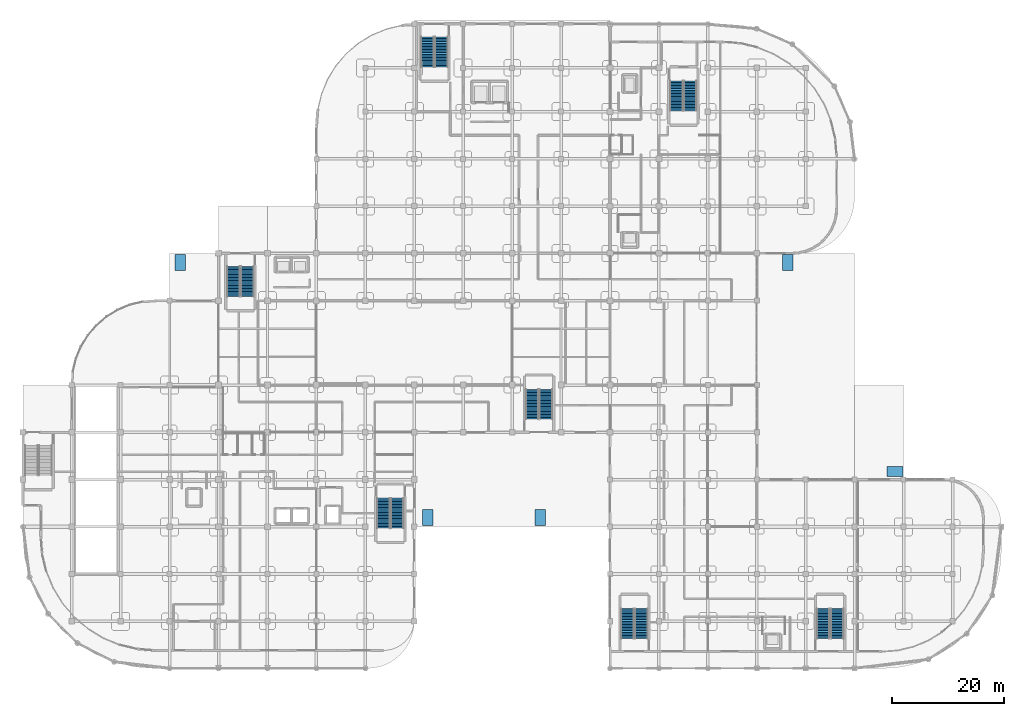
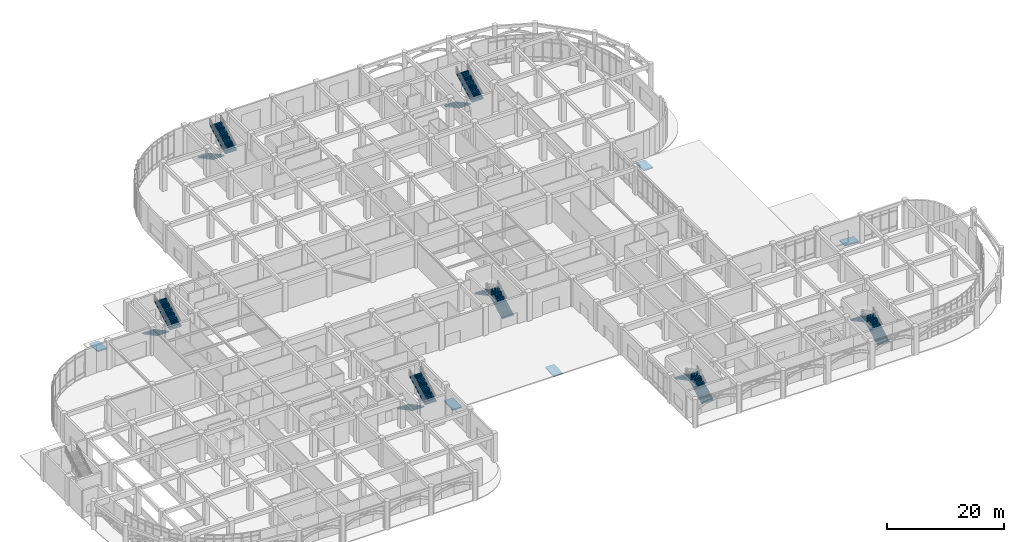
# One storey, part 72 of 82: 14 stair flights, 5 ramp flights, 12 elements without a shape of their own.
"""IFC4 building model written with IfcOpenShell, lengths in metres."""

import ifcopenshell
import ifcopenshell.guid

model = None  # the IFC model being written
_history = None  # IfcOwnerHistory: only IFC2X3 demands one
_inside = {}  # id of a spatial element -> (the spatial element, [elements in it])
_under = {}  # id of a project, library or spatial element -> (it, [spatial elements below it])
_declared = {}  # id of a project -> (the project, [libraries it declares])
_typed = {}  # id of a type object -> (the type object, [elements of that type])
_made_of = {}  # id of a material, layer set ... -> (it, [elements and type objects made of it])


def new_model(schema):
    """Start an empty IFC model of exactly this schema.

    Asked for "IFC4X3", IfcOpenShell would pick the latest addendum, in which some entities
    have other attributes; the version numbers below select the first issue.
    IFC2X3 requires an IfcOwnerHistory on every rooted entity: one is made here for all.
    """
    global model, _history
    if schema == "IFC4X3":
        model = ifcopenshell.file(schema_version=(4, 3, 0, 0))
    else:
        model = ifcopenshell.file(schema=schema)
    _inside.clear()
    _under.clear()
    _declared.clear()
    _typed.clear()
    _made_of.clear()
    _history = None
    if model.schema == "IFC2X3":
        org = make("IfcOrganization", Name="unknown")
        user = make(
            "IfcPersonAndOrganization",
            ThePerson=make("IfcPerson", FamilyName="unknown"),
            TheOrganization=org,
        )
        app = make(
            "IfcApplication",
            ApplicationDeveloper=org,
            Version="unknown",
            ApplicationFullName="unknown",
            ApplicationIdentifier="unknown",
        )
        _history = make(
            "IfcOwnerHistory",
            OwningUser=user,
            OwningApplication=app,
            ChangeAction="ADDED",
            CreationDate=0,
        )
    return model


def make(cls, **values):
    """One entity of the class cls with the attributes given. An attribute that is None is left unset."""
    return model.create_entity(
        cls, **{name: value for name, value in values.items() if value is not None}
    )


def rooted(cls, **values):
    """An entity with a GlobalId (a new one), such as an element, a storey or a relation."""
    return make(cls, GlobalId=ifcopenshell.guid.new(), OwnerHistory=_history, **values)


def si_unit(unit_type, name, prefix=None):
    """IfcSIUnit, for example si_unit("LENGTHUNIT", "METRE", prefix="MILLI")."""
    return make("IfcSIUnit", UnitType=unit_type, Prefix=prefix, Name=name)


def derived_unit(unit_type, elements):
    """IfcDerivedUnit: a product of units, each with its exponent."""
    return make(
        "IfcDerivedUnit",
        Elements=[
            make("IfcDerivedUnitElement", Unit=unit, Exponent=power)
            for unit, power in elements
        ],
        UnitType=unit_type,
    )


def assignment(units):
    """IfcUnitAssignment: the units of a project."""
    return None if units is None else make("IfcUnitAssignment", Units=units)


def point(xyz):
    """IfcCartesianPoint."""
    return None if xyz is None else make("IfcCartesianPoint", Coordinates=xyz)


def direction(xyz):
    """IfcDirection."""
    return None if xyz is None else make("IfcDirection", DirectionRatios=xyz)


def frame(location, z_axis=None, x_axis=None):
    """IfcAxis2Placement3D, a coordinate frame: its origin and axes. An axis left out is left unset."""
    return make(
        "IfcAxis2Placement3D",
        Location=point(location),
        Axis=direction(z_axis),
        RefDirection=direction(x_axis),
    )


def origin():
    """The frame at (0, 0, 0) with its axes left unset."""
    return frame((0.0, 0.0, 0.0))


def place(relative_to, where):
    """IfcLocalPlacement: puts the frame where relative to a parent placement (None: the world)."""
    return make(
        "IfcLocalPlacement", PlacementRelTo=relative_to, RelativePlacement=where
    )


def context(
    kind, dimensions, precision=None, world=None, true_north=None, identifier=None
):
    """IfcGeometricRepresentationContext, for example the 3D "Model" context."""
    return make(
        "IfcGeometricRepresentationContext",
        ContextIdentifier=identifier,
        ContextType=kind,
        CoordinateSpaceDimension=dimensions,
        Precision=precision,
        WorldCoordinateSystem=world,
        TrueNorth=true_north,
    )


def subcontext(parent, identifier, kind, view, scale=None):
    """IfcGeometricRepresentationSubContext, for example "Body" below "Model"."""
    return make(
        "IfcGeometricRepresentationSubContext",
        ContextIdentifier=identifier,
        ContextType=kind,
        ParentContext=parent,
        TargetScale=scale,
        TargetView=view,
    )


def project(units=None, contexts=None):
    """IfcProject with its units and contexts."""
    return rooted(
        "IfcProject",
        Name="project",
        RepresentationContexts=contexts,
        UnitsInContext=assignment(units),
    )


def spatial(cls, under=None, at=None, **own):
    """A site, building, storey or space (cls), placed at a placement, below another one or the project."""
    s = rooted(cls, ObjectPlacement=at, **own)
    if under is not None:
        _under.setdefault(under.id(), (under, []))[1].append(s)
    return s


def polyline(points):
    """IfcPolyline through the points."""
    return make("IfcPolyline", Points=[point(p) for p in points])


def outline(outer, holes=None, kind="AREA"):
    """IfcArbitraryClosedProfileDef: a profile drawn as a closed curve; with holes, ...WithVoids."""
    if holes is None:
        return make("IfcArbitraryClosedProfileDef", ProfileType=kind, OuterCurve=outer)
    return make(
        "IfcArbitraryProfileDefWithVoids",
        ProfileType=kind,
        OuterCurve=outer,
        InnerCurves=holes,
    )


def extrude(swept, where, along, depth):
    """IfcExtrudedAreaSolid: the profile swept, set in the frame where, extruded along a direction by depth."""
    return make(
        "IfcExtrudedAreaSolid",
        SweptArea=swept,
        Position=where,
        ExtrudedDirection=direction(along),
        Depth=depth,
    )


def shape(context_of_items, identifier, shape_type, items):
    """IfcShapeRepresentation: the items that make up one representation, for example the "Body"."""
    return make(
        "IfcShapeRepresentation",
        ContextOfItems=context_of_items,
        RepresentationIdentifier=identifier,
        RepresentationType=shape_type,
        Items=items,
    )


def material(Name=None, Category=None):
    """IfcMaterial."""
    return make("IfcMaterial", Name=Name, Category=Category)


def layer(
    of_material, thickness, ventilated=None, Name=None, Category=None, Priority=None
):
    """IfcMaterialLayer: one layer of a wall or slab, of a material (None: an air gap)."""
    return make(
        "IfcMaterialLayer",
        Material=of_material,
        LayerThickness=thickness,
        IsVentilated=ventilated,
        Name=Name,
        Category=Category,
        Priority=Priority,
    )


def layer_set(layers, Name=None):
    """IfcMaterialLayerSet."""
    return make("IfcMaterialLayerSet", MaterialLayers=layers, LayerSetName=Name)


def made_of(thing, what):
    """Note that an element or type object is made of a material, layer set ...; save() writes the relation."""
    if what is not None:
        _made_of.setdefault(what.id(), (what, []))[1].append(thing)
    return thing


def type_object(cls, material=None, **own):
    """A type object (cls), such as IfcWallType, which elements share."""
    return made_of(rooted(cls, **own), material)


def element(
    cls,
    number,
    at=None,
    inside=None,
    cuts=None,
    type_object=None,
    material=None,
    context=None,
    identifier="Body",
    shape_type=None,
    held_by="IfcProductDefinitionShape",
    body=None,
    shapes=None,
    **own,
):
    """One element of the class cls, such as IfcWall. Its Tag is "e" and its number.

    at: its placement. inside: the storey or other place that contains it. cuts: it is an
    opening in that element (IfcRelVoidsElement). A single representation is given by context,
    identifier, shape_type and body (its items); several are given by shapes. held_by: the class
    of the entity that holds the representations. save() writes the other relations.
    """
    e = rooted(cls, Tag="e%d" % number, ObjectPlacement=at, **own)
    if body is not None:
        shapes = [shape(context, identifier, shape_type, body)]
    if shapes is not None:
        e.Representation = make(held_by, Representations=shapes)
    if inside is not None:
        _inside.setdefault(inside.id(), (inside, []))[1].append(e)
    if cuts is not None:
        rooted(
            "IfcRelVoidsElement", RelatingBuildingElement=cuts, RelatedOpeningElement=e
        )
    if type_object is not None:
        _typed.setdefault(type_object.id(), (type_object, []))[1].append(e)
    return made_of(e, material)


def aggregate(whole, parts):
    """IfcRelAggregates: a whole, such as a stair, and the parts it consists of."""
    return rooted("IfcRelAggregates", RelatingObject=whole, RelatedObjects=parts)


def save(model, path):
    """Write the relations noted so far, then the file.

    IfcRelAggregates (storeys below a building ...), IfcRelContainedInSpatialStructure (elements
    in a storey), IfcRelDefinesByType, IfcRelAssociatesMaterial and IfcRelDeclares: one each for
    every whole, place, type object, material and project.
    """
    for whole, parts in _under.values():
        aggregate(whole, parts)
    for where, things in _inside.values():
        rooted(
            "IfcRelContainedInSpatialStructure",
            RelatedElements=things,
            RelatingStructure=where,
        )
    for kind, things in _typed.values():
        rooted("IfcRelDefinesByType", RelatedObjects=things, RelatingType=kind)
    for what, things in _made_of.values():
        rooted("IfcRelAssociatesMaterial", RelatedObjects=things, RelatingMaterial=what)
    for by, libraries in _declared.values():
        rooted("IfcRelDeclares", RelatingContext=by, RelatedDefinitions=libraries)
    model.write(path)


model = new_model("IFC4")

# Units and contexts
model_context = context("Model", 3, precision=1e-05, world=origin(), true_north=direction((0.0, 1.0)))
body_context = subcontext(model_context, "Body", "Model", "MODEL_VIEW")
ifc_project = project(units=[si_unit("LENGTHUNIT", "METRE"), si_unit("AREAUNIT", "SQUARE_METRE"), si_unit("VOLUMEUNIT", "CUBIC_METRE"), si_unit("PLANEANGLEUNIT", "RADIAN"), si_unit("MASSUNIT", "GRAM", prefix="KILO"), derived_unit("THERMALTRANSMITTANCEUNIT", [(si_unit("MASSUNIT", "GRAM", prefix="KILO"), 1), (si_unit("TIMEUNIT", "SECOND"), -3), (si_unit("THERMODYNAMICTEMPERATUREUNIT", "KELVIN"), -1)])], contexts=[model_context])

# Site, building, storey
site_placement = place(None, origin())
site = spatial("IfcSite", under=ifc_project, at=site_placement, CompositionType="ELEMENT")
building_placement = place(site_placement, origin())
building = spatial("IfcBuilding", under=site, at=building_placement, Name="Qinzheling Arcade Emporium", CompositionType="ELEMENT")
storey_placement = place(building_placement, origin())
storey = spatial("IfcBuildingStorey", under=building, at=storey_placement, Name="L01", CompositionType="ELEMENT", Elevation=0.0)

# Stair, stair flights
ifc_material = material(Name="Concrete C40", Category="concrete")
stair_type = type_object("IfcStairType", Name="Cast-in-Situ Dog-Leg Escape Stair H6000", PredefinedType="HALF_TURN_STAIR", material=ifc_material)
stair_1_placement = place(storey_placement, origin())
stair_1 = element("IfcStair", 1, at=stair_1_placement, inside=storey, type_object=stair_type, Name="L01 ST01", PredefinedType="HALF_TURN_STAIR")
stair_flight_type = type_object("IfcStairFlightType", Name="Cast-in-Situ Straight Stair Flight 150x280 H6000", PredefinedType="STRAIGHT", material=ifc_material)
stair_flight_1_placement = place(storey_placement, frame((64.110107421875, 30.280029296875, 0.0), z_axis=(0.0, 0.0, 1.0), x_axis=(0.0, -1.0, 0.0)))
stair_flight_1 = element("IfcStairFlight", 2, at=stair_flight_1_placement, type_object=stair_flight_type, Name="ST01 flight 1", NumberOfRisers=20, NumberOfTreads=19, PredefinedType="STRAIGHT", RiserHeight=0.15, TreadLength=0.28, context=body_context, shape_type="SweptSolid", body=[
    extrude(outline(polyline([(0.0, 0.0), (0.0, 0.14990234375), (0.280029296875, 0.14990234375), (0.280029296875, 0.300048828125), (0.56005859375, 0.300048828125), (0.56005859375, 0.449951171875), (0.840087890625, 0.449951171875), (0.840087890625, 0.60009765625), (1.1201171875, 0.60009765625), (1.1201171875, 0.75), (1.39990234375, 0.75), (1.39990234375, 0.89990234375), (1.679931640625, 0.89990234375), (1.679931640625, 1.050048828125), (1.9599609375, 1.050048828125), (1.9599609375, 1.199951171875), (2.239990234375, 1.199951171875), (2.239990234375, 1.35009765625), (2.52001953125, 1.35009765625), (2.52001953125, 1.5), (2.800048828125, 1.5), (2.800048828125, 1.64990234375), (3.080078125, 1.64990234375), (3.080078125, 1.800048828125), (3.360107421875, 1.800048828125), (3.360107421875, 1.949951171875), (3.639892578125, 1.949951171875), (3.639892578125, 2.10009765625), (3.919921875, 2.10009765625), (3.919921875, 2.25), (4.199951171875, 2.25), (4.199951171875, 2.39990234375), (4.47998046875, 2.39990234375), (4.47998046875, 2.550048828125), (4.760009765625, 2.550048828125), (4.760009765625, 2.699951171875), (5.0400390625, 2.699951171875), (5.0400390625, 2.85009765625), (5.320068359375, 2.85009765625), (5.320068359375, 3.0), (5.320068359375, 2.668701171875), (0.338623046875, 0.0), (0.0, 0.0)])), frame((0.0, 1.16015625, 0.0), z_axis=(0.0, -1.0, 0.0), x_axis=(1.0, 0.0, 0.0)), (0.0, 0.0, 1.0), 2.320068359375),
])
stair_flight_2_placement = place(storey_placement, frame((66.580078125, 24.9599609375, 3.0), z_axis=(0.0, 0.0, 1.0), x_axis=(0.0, 1.0, 0.0)))
stair_flight_2 = element("IfcStairFlight", 3, at=stair_flight_2_placement, type_object=stair_flight_type, Name="ST01 flight 2", NumberOfRisers=20, NumberOfTreads=19, PredefinedType="STRAIGHT", RiserHeight=0.15, TreadLength=0.28, context=body_context, shape_type="SweptSolid", body=[
    extrude(outline(polyline([(0.0, 0.0), (0.0, 0.14990234375), (0.280029296875, 0.14990234375), (0.280029296875, 0.300048828125), (0.56005859375, 0.300048828125), (0.56005859375, 0.449951171875), (0.840087890625, 0.449951171875), (0.840087890625, 0.60009765625), (1.1201171875, 0.60009765625), (1.1201171875, 0.75), (1.39990234375, 0.75), (1.39990234375, 0.89990234375), (1.679931640625, 0.89990234375), (1.679931640625, 1.050048828125), (1.9599609375, 1.050048828125), (1.9599609375, 1.199951171875), (2.239990234375, 1.199951171875), (2.239990234375, 1.35009765625), (2.52001953125, 1.35009765625), (2.52001953125, 1.5), (2.800048828125, 1.5), (2.800048828125, 1.64990234375), (3.080078125, 1.64990234375), (3.080078125, 1.800048828125), (3.360107421875, 1.800048828125), (3.360107421875, 1.949951171875), (3.639892578125, 1.949951171875), (3.639892578125, 2.10009765625), (3.919921875, 2.10009765625), (3.919921875, 2.25), (4.199951171875, 2.25), (4.199951171875, 2.39990234375), (4.47998046875, 2.39990234375), (4.47998046875, 2.550048828125), (4.760009765625, 2.550048828125), (4.760009765625, 2.699951171875), (5.0400390625, 2.699951171875), (5.0400390625, 2.85009765625), (5.320068359375, 2.85009765625), (5.320068359375, 3.0), (5.320068359375, 2.668701171875), (0.338623046875, 0.0), (0.0, 0.0)])), frame((0.0, 1.16015625, 0.0), z_axis=(0.0, -1.0, 0.0), x_axis=(1.0, 0.0, 0.0)), (0.0, 0.0, 1.0), 2.320068359375),
])
aggregate(stair_1, [stair_flight_1, stair_flight_2])

stair_2_placement = place(storey_placement, origin())
stair_2 = element("IfcStair", 4, at=stair_2_placement, inside=storey, type_object=stair_type, Name="L01 ST03", PredefinedType="HALF_TURN_STAIR")
stair_flight_3_placement = place(storey_placement, frame((37.4599609375, 71.47998046875, 0.0), z_axis=(0.0, 0.0, 1.0), x_axis=(0.0, -1.0, 0.0)))
stair_flight_3 = element("IfcStairFlight", 5, at=stair_flight_3_placement, type_object=stair_flight_type, Name="ST03 flight 1", NumberOfRisers=20, NumberOfTreads=19, PredefinedType="STRAIGHT", RiserHeight=0.15, TreadLength=0.28, context=body_context, shape_type="SweptSolid", body=[
    extrude(outline(polyline([(0.0, 0.0), (0.0, 0.14990234375), (0.280029296875, 0.14990234375), (0.280029296875, 0.300048828125), (0.56005859375, 0.300048828125), (0.56005859375, 0.449951171875), (0.840087890625, 0.449951171875), (0.840087890625, 0.60009765625), (1.1201171875, 0.60009765625), (1.1201171875, 0.75), (1.39990234375, 0.75), (1.39990234375, 0.89990234375), (1.679931640625, 0.89990234375), (1.679931640625, 1.050048828125), (1.9599609375, 1.050048828125), (1.9599609375, 1.199951171875), (2.239990234375, 1.199951171875), (2.239990234375, 1.35009765625), (2.52001953125, 1.35009765625), (2.52001953125, 1.5), (2.800048828125, 1.5), (2.800048828125, 1.64990234375), (3.080078125, 1.64990234375), (3.080078125, 1.800048828125), (3.360107421875, 1.800048828125), (3.360107421875, 1.949951171875), (3.639892578125, 1.949951171875), (3.639892578125, 2.10009765625), (3.919921875, 2.10009765625), (3.919921875, 2.25), (4.199951171875, 2.25), (4.199951171875, 2.39990234375), (4.47998046875, 2.39990234375), (4.47998046875, 2.550048828125), (4.760009765625, 2.550048828125), (4.760009765625, 2.699951171875), (5.0400390625, 2.699951171875), (5.0400390625, 2.85009765625), (5.320068359375, 2.85009765625), (5.320068359375, 3.0), (5.320068359375, 2.668701171875), (0.338623046875, 0.0), (0.0, 0.0)])), frame((0.0, 1.16015625, 0.0), z_axis=(0.0, -1.0, 0.0), x_axis=(1.0, 0.0, 0.0)), (0.0, 0.0, 1.0), 2.320068359375),
])
stair_flight_4_placement = place(storey_placement, frame((39.929931640625, 66.159912109375, 3.0), z_axis=(0.0, 0.0, 1.0), x_axis=(0.0, 1.0, 0.0)))
stair_flight_4 = element("IfcStairFlight", 6, at=stair_flight_4_placement, type_object=stair_flight_type, Name="ST03 flight 2", NumberOfRisers=20, NumberOfTreads=19, PredefinedType="STRAIGHT", RiserHeight=0.15, TreadLength=0.28, context=body_context, shape_type="SweptSolid", body=[
    extrude(outline(polyline([(0.0, 0.0), (0.0, 0.14990234375), (0.280029296875, 0.14990234375), (0.280029296875, 0.300048828125), (0.56005859375, 0.300048828125), (0.56005859375, 0.449951171875), (0.840087890625, 0.449951171875), (0.840087890625, 0.60009765625), (1.1201171875, 0.60009765625), (1.1201171875, 0.75), (1.39990234375, 0.75), (1.39990234375, 0.89990234375), (1.679931640625, 0.89990234375), (1.679931640625, 1.050048828125), (1.9599609375, 1.050048828125), (1.9599609375, 1.199951171875), (2.239990234375, 1.199951171875), (2.239990234375, 1.35009765625), (2.52001953125, 1.35009765625), (2.52001953125, 1.5), (2.800048828125, 1.5), (2.800048828125, 1.64990234375), (3.080078125, 1.64990234375), (3.080078125, 1.800048828125), (3.360107421875, 1.800048828125), (3.360107421875, 1.949951171875), (3.639892578125, 1.949951171875), (3.639892578125, 2.10009765625), (3.919921875, 2.10009765625), (3.919921875, 2.25), (4.199951171875, 2.25), (4.199951171875, 2.39990234375), (4.47998046875, 2.39990234375), (4.47998046875, 2.550048828125), (4.760009765625, 2.550048828125), (4.760009765625, 2.699951171875), (5.0400390625, 2.699951171875), (5.0400390625, 2.85009765625), (5.320068359375, 2.85009765625), (5.320068359375, 3.0), (5.320068359375, 2.668701171875), (0.338623046875, 0.0), (0.0, 0.0)])), frame((0.0, 1.16015625, 0.0), z_axis=(0.0, -1.0, 0.0), x_axis=(1.0, 0.0, 0.0)), (0.0, 0.0, 1.0), 2.320068359375),
])
aggregate(stair_2, [stair_flight_3, stair_flight_4])

stair_3_placement = place(storey_placement, origin())
stair_3 = element("IfcStair", 7, at=stair_3_placement, inside=storey, type_object=stair_type, Name="L01 ST04", PredefinedType="HALF_TURN_STAIR")
stair_flight_5_placement = place(storey_placement, frame((93.030029296875, 44.320068359375, 0.0), z_axis=(0.0, 0.0, 1.0), x_axis=(0.0, 1.0, 0.0)))
stair_flight_5 = element("IfcStairFlight", 8, at=stair_flight_5_placement, type_object=stair_flight_type, Name="ST04 flight 1", NumberOfRisers=20, NumberOfTreads=19, PredefinedType="STRAIGHT", RiserHeight=0.15, TreadLength=0.28, context=body_context, shape_type="SweptSolid", body=[
    extrude(outline(polyline([(0.0, 0.0), (0.0, 0.14990234375), (0.280029296875, 0.14990234375), (0.280029296875, 0.300048828125), (0.56005859375, 0.300048828125), (0.56005859375, 0.449951171875), (0.840087890625, 0.449951171875), (0.840087890625, 0.60009765625), (1.1201171875, 0.60009765625), (1.1201171875, 0.75), (1.39990234375, 0.75), (1.39990234375, 0.89990234375), (1.679931640625, 0.89990234375), (1.679931640625, 1.050048828125), (1.9599609375, 1.050048828125), (1.9599609375, 1.199951171875), (2.239990234375, 1.199951171875), (2.239990234375, 1.35009765625), (2.52001953125, 1.35009765625), (2.52001953125, 1.5), (2.800048828125, 1.5), (2.800048828125, 1.64990234375), (3.080078125, 1.64990234375), (3.080078125, 1.800048828125), (3.360107421875, 1.800048828125), (3.360107421875, 1.949951171875), (3.639892578125, 1.949951171875), (3.639892578125, 2.10009765625), (3.919921875, 2.10009765625), (3.919921875, 2.25), (4.199951171875, 2.25), (4.199951171875, 2.39990234375), (4.47998046875, 2.39990234375), (4.47998046875, 2.550048828125), (4.760009765625, 2.550048828125), (4.760009765625, 2.699951171875), (5.0400390625, 2.699951171875), (5.0400390625, 2.85009765625), (5.320068359375, 2.85009765625), (5.320068359375, 3.0), (5.320068359375, 2.668701171875), (0.338623046875, 0.0), (0.0, 0.0)])), frame((0.0, 1.16015625, 0.0), z_axis=(0.0, -1.0, 0.0), x_axis=(1.0, 0.0, 0.0)), (0.0, 0.0, 1.0), 2.320068359375),
])
stair_flight_6_placement = place(storey_placement, frame((90.56005859375, 49.639892578125, 3.0), z_axis=(0.0, 0.0, 1.0), x_axis=(0.0, -1.0, 0.0)))
stair_flight_6 = element("IfcStairFlight", 9, at=stair_flight_6_placement, type_object=stair_flight_type, Name="ST04 flight 2", NumberOfRisers=20, NumberOfTreads=19, PredefinedType="STRAIGHT", RiserHeight=0.15, TreadLength=0.28, context=body_context, shape_type="SweptSolid", body=[
    extrude(outline(polyline([(0.0, 0.0), (0.0, 0.14990234375), (0.280029296875, 0.14990234375), (0.280029296875, 0.300048828125), (0.56005859375, 0.300048828125), (0.56005859375, 0.449951171875), (0.840087890625, 0.449951171875), (0.840087890625, 0.60009765625), (1.1201171875, 0.60009765625), (1.1201171875, 0.75), (1.39990234375, 0.75), (1.39990234375, 0.89990234375), (1.679931640625, 0.89990234375), (1.679931640625, 1.050048828125), (1.9599609375, 1.050048828125), (1.9599609375, 1.199951171875), (2.239990234375, 1.199951171875), (2.239990234375, 1.35009765625), (2.52001953125, 1.35009765625), (2.52001953125, 1.5), (2.800048828125, 1.5), (2.800048828125, 1.64990234375), (3.080078125, 1.64990234375), (3.080078125, 1.800048828125), (3.360107421875, 1.800048828125), (3.360107421875, 1.949951171875), (3.639892578125, 1.949951171875), (3.639892578125, 2.10009765625), (3.919921875, 2.10009765625), (3.919921875, 2.25), (4.199951171875, 2.25), (4.199951171875, 2.39990234375), (4.47998046875, 2.39990234375), (4.47998046875, 2.550048828125), (4.760009765625, 2.550048828125), (4.760009765625, 2.699951171875), (5.0400390625, 2.699951171875), (5.0400390625, 2.85009765625), (5.320068359375, 2.85009765625), (5.320068359375, 3.0), (5.320068359375, 2.668701171875), (0.338623046875, 0.0), (0.0, 0.0)])), frame((0.0, 1.16015625, 0.0), z_axis=(0.0, -1.0, 0.0), x_axis=(1.0, 0.0, 0.0)), (0.0, 0.0, 1.0), 2.320068359375),
])
aggregate(stair_3, [stair_flight_5, stair_flight_6])

stair_4_placement = place(storey_placement, origin())
stair_4 = element("IfcStair", 10, at=stair_4_placement, inside=storey, type_object=stair_type, Name="L01 ST05", PredefinedType="HALF_TURN_STAIR")
stair_flight_7_placement = place(storey_placement, frame((109.985107421875, 5.320068359375, 0.0), z_axis=(0.0, 0.0, 1.0), x_axis=(0.0, 1.0, 0.0)))
stair_flight_7 = element("IfcStairFlight", 11, at=stair_flight_7_placement, type_object=stair_flight_type, Name="ST05 flight 1", NumberOfRisers=20, NumberOfTreads=19, PredefinedType="STRAIGHT", RiserHeight=0.15, TreadLength=0.28, context=body_context, shape_type="SweptSolid", body=[
    extrude(outline(polyline([(0.0, 0.0), (0.0, 0.14990234375), (0.280029296875, 0.14990234375), (0.280029296875, 0.300048828125), (0.56005859375, 0.300048828125), (0.56005859375, 0.449951171875), (0.840087890625, 0.449951171875), (0.840087890625, 0.60009765625), (1.1201171875, 0.60009765625), (1.1201171875, 0.75), (1.39990234375, 0.75), (1.39990234375, 0.89990234375), (1.679931640625, 0.89990234375), (1.679931640625, 1.050048828125), (1.9599609375, 1.050048828125), (1.9599609375, 1.199951171875), (2.239990234375, 1.199951171875), (2.239990234375, 1.35009765625), (2.52001953125, 1.35009765625), (2.52001953125, 1.5), (2.800048828125, 1.5), (2.800048828125, 1.64990234375), (3.080078125, 1.64990234375), (3.080078125, 1.800048828125), (3.360107421875, 1.800048828125), (3.360107421875, 1.949951171875), (3.639892578125, 1.949951171875), (3.639892578125, 2.10009765625), (3.919921875, 2.10009765625), (3.919921875, 2.25), (4.199951171875, 2.25), (4.199951171875, 2.39990234375), (4.47998046875, 2.39990234375), (4.47998046875, 2.550048828125), (4.760009765625, 2.550048828125), (4.760009765625, 2.699951171875), (5.0400390625, 2.699951171875), (5.0400390625, 2.85009765625), (5.320068359375, 2.85009765625), (5.320068359375, 3.0), (5.320068359375, 2.668701171875), (0.338623046875, 0.0), (0.0, 0.0)])), frame((0.0, 1.16015625, 0.0), z_axis=(0.0, -1.0, 0.0), x_axis=(1.0, 0.0, 0.0)), (0.0, 0.0, 1.0), 2.320068359375),
])
stair_flight_8_placement = place(storey_placement, frame((107.514892578125, 10.639892578125, 3.0), z_axis=(0.0, 0.0, 1.0), x_axis=(0.0, -1.0, 0.0)))
stair_flight_8 = element("IfcStairFlight", 12, at=stair_flight_8_placement, type_object=stair_flight_type, Name="ST05 flight 2", NumberOfRisers=20, NumberOfTreads=19, PredefinedType="STRAIGHT", RiserHeight=0.15, TreadLength=0.28, context=body_context, shape_type="SweptSolid", body=[
    extrude(outline(polyline([(0.0, 0.0), (0.0, 0.14990234375), (0.280029296875, 0.14990234375), (0.280029296875, 0.300048828125), (0.56005859375, 0.300048828125), (0.56005859375, 0.449951171875), (0.840087890625, 0.449951171875), (0.840087890625, 0.60009765625), (1.1201171875, 0.60009765625), (1.1201171875, 0.75), (1.39990234375, 0.75), (1.39990234375, 0.89990234375), (1.679931640625, 0.89990234375), (1.679931640625, 1.050048828125), (1.9599609375, 1.050048828125), (1.9599609375, 1.199951171875), (2.239990234375, 1.199951171875), (2.239990234375, 1.35009765625), (2.52001953125, 1.35009765625), (2.52001953125, 1.5), (2.800048828125, 1.5), (2.800048828125, 1.64990234375), (3.080078125, 1.64990234375), (3.080078125, 1.800048828125), (3.360107421875, 1.800048828125), (3.360107421875, 1.949951171875), (3.639892578125, 1.949951171875), (3.639892578125, 2.10009765625), (3.919921875, 2.10009765625), (3.919921875, 2.25), (4.199951171875, 2.25), (4.199951171875, 2.39990234375), (4.47998046875, 2.39990234375), (4.47998046875, 2.550048828125), (4.760009765625, 2.550048828125), (4.760009765625, 2.699951171875), (5.0400390625, 2.699951171875), (5.0400390625, 2.85009765625), (5.320068359375, 2.85009765625), (5.320068359375, 3.0), (5.320068359375, 2.668701171875), (0.338623046875, 0.0), (0.0, 0.0)])), frame((0.0, 1.16015625, 0.0), z_axis=(0.0, -1.0, 0.0), x_axis=(1.0, 0.0, 0.0)), (0.0, 0.0, 1.0), 2.320068359375),
])
aggregate(stair_4, [stair_flight_7, stair_flight_8])

stair_5_placement = place(storey_placement, origin())
stair_5 = element("IfcStair", 13, at=stair_5_placement, inside=storey, type_object=stair_type, Name="L01 ST06", PredefinedType="HALF_TURN_STAIR")
stair_flight_9_placement = place(storey_placement, frame((144.784912109375, 5.320068359375, 0.0), z_axis=(0.0, 0.0, 1.0), x_axis=(0.0, 1.0, 0.0)))
stair_flight_9 = element("IfcStairFlight", 14, at=stair_flight_9_placement, type_object=stair_flight_type, Name="ST06 flight 1", NumberOfRisers=20, NumberOfTreads=19, PredefinedType="STRAIGHT", RiserHeight=0.15, TreadLength=0.28, context=body_context, shape_type="SweptSolid", body=[
    extrude(outline(polyline([(0.0, 0.0), (0.0, 0.14990234375), (0.280029296875, 0.14990234375), (0.280029296875, 0.300048828125), (0.56005859375, 0.300048828125), (0.56005859375, 0.449951171875), (0.840087890625, 0.449951171875), (0.840087890625, 0.60009765625), (1.1201171875, 0.60009765625), (1.1201171875, 0.75), (1.39990234375, 0.75), (1.39990234375, 0.89990234375), (1.679931640625, 0.89990234375), (1.679931640625, 1.050048828125), (1.9599609375, 1.050048828125), (1.9599609375, 1.199951171875), (2.239990234375, 1.199951171875), (2.239990234375, 1.35009765625), (2.52001953125, 1.35009765625), (2.52001953125, 1.5), (2.800048828125, 1.5), (2.800048828125, 1.64990234375), (3.080078125, 1.64990234375), (3.080078125, 1.800048828125), (3.360107421875, 1.800048828125), (3.360107421875, 1.949951171875), (3.639892578125, 1.949951171875), (3.639892578125, 2.10009765625), (3.919921875, 2.10009765625), (3.919921875, 2.25), (4.199951171875, 2.25), (4.199951171875, 2.39990234375), (4.47998046875, 2.39990234375), (4.47998046875, 2.550048828125), (4.760009765625, 2.550048828125), (4.760009765625, 2.699951171875), (5.0400390625, 2.699951171875), (5.0400390625, 2.85009765625), (5.320068359375, 2.85009765625), (5.320068359375, 3.0), (5.320068359375, 2.668701171875), (0.338623046875, 0.0), (0.0, 0.0)])), frame((0.0, 1.16015625, 0.0), z_axis=(0.0, -1.0, 0.0), x_axis=(1.0, 0.0, 0.0)), (0.0, 0.0, 1.0), 2.320068359375),
])
stair_flight_10_placement = place(storey_placement, frame((142.31494140625, 10.639892578125, 3.0), z_axis=(0.0, 0.0, 1.0), x_axis=(0.0, -1.0, 0.0)))
stair_flight_10 = element("IfcStairFlight", 15, at=stair_flight_10_placement, type_object=stair_flight_type, Name="ST06 flight 2", NumberOfRisers=20, NumberOfTreads=19, PredefinedType="STRAIGHT", RiserHeight=0.15, TreadLength=0.28, context=body_context, shape_type="SweptSolid", body=[
    extrude(outline(polyline([(0.0, 0.0), (0.0, 0.14990234375), (0.280029296875, 0.14990234375), (0.280029296875, 0.300048828125), (0.56005859375, 0.300048828125), (0.56005859375, 0.449951171875), (0.840087890625, 0.449951171875), (0.840087890625, 0.60009765625), (1.1201171875, 0.60009765625), (1.1201171875, 0.75), (1.39990234375, 0.75), (1.39990234375, 0.89990234375), (1.679931640625, 0.89990234375), (1.679931640625, 1.050048828125), (1.9599609375, 1.050048828125), (1.9599609375, 1.199951171875), (2.239990234375, 1.199951171875), (2.239990234375, 1.35009765625), (2.52001953125, 1.35009765625), (2.52001953125, 1.5), (2.800048828125, 1.5), (2.800048828125, 1.64990234375), (3.080078125, 1.64990234375), (3.080078125, 1.800048828125), (3.360107421875, 1.800048828125), (3.360107421875, 1.949951171875), (3.639892578125, 1.949951171875), (3.639892578125, 2.10009765625), (3.919921875, 2.10009765625), (3.919921875, 2.25), (4.199951171875, 2.25), (4.199951171875, 2.39990234375), (4.47998046875, 2.39990234375), (4.47998046875, 2.550048828125), (4.760009765625, 2.550048828125), (4.760009765625, 2.699951171875), (5.0400390625, 2.699951171875), (5.0400390625, 2.85009765625), (5.320068359375, 2.85009765625), (5.320068359375, 3.0), (5.320068359375, 2.668701171875), (0.338623046875, 0.0), (0.0, 0.0)])), frame((0.0, 1.16015625, 0.0), z_axis=(0.0, -1.0, 0.0), x_axis=(1.0, 0.0, 0.0)), (0.0, 0.0, 1.0), 2.320068359375),
])
aggregate(stair_5, [stair_flight_9, stair_flight_10])

stair_6_placement = place(storey_placement, origin())
stair_6 = element("IfcStair", 16, at=stair_6_placement, inside=storey, type_object=stair_type, Name="L01 ST07", PredefinedType="HALF_TURN_STAIR")
stair_flight_11_placement = place(storey_placement, frame((71.9599609375, 112.280029296875, 0.0), z_axis=(0.0, 0.0, 1.0), x_axis=(0.0, -1.0, 0.0)))
stair_flight_11 = element("IfcStairFlight", 17, at=stair_flight_11_placement, type_object=stair_flight_type, Name="ST07 flight 1", NumberOfRisers=20, NumberOfTreads=19, PredefinedType="STRAIGHT", RiserHeight=0.15, TreadLength=0.28, context=body_context, shape_type="SweptSolid", body=[
    extrude(outline(polyline([(0.0, 0.0), (0.0, 0.14990234375), (0.280029296875, 0.14990234375), (0.280029296875, 0.300048828125), (0.56005859375, 0.300048828125), (0.56005859375, 0.449951171875), (0.840087890625, 0.449951171875), (0.840087890625, 0.60009765625), (1.1201171875, 0.60009765625), (1.1201171875, 0.75), (1.39990234375, 0.75), (1.39990234375, 0.89990234375), (1.679931640625, 0.89990234375), (1.679931640625, 1.050048828125), (1.9599609375, 1.050048828125), (1.9599609375, 1.199951171875), (2.239990234375, 1.199951171875), (2.239990234375, 1.35009765625), (2.52001953125, 1.35009765625), (2.52001953125, 1.5), (2.800048828125, 1.5), (2.800048828125, 1.64990234375), (3.080078125, 1.64990234375), (3.080078125, 1.800048828125), (3.360107421875, 1.800048828125), (3.360107421875, 1.949951171875), (3.639892578125, 1.949951171875), (3.639892578125, 2.10009765625), (3.919921875, 2.10009765625), (3.919921875, 2.25), (4.199951171875, 2.25), (4.199951171875, 2.39990234375), (4.47998046875, 2.39990234375), (4.47998046875, 2.550048828125), (4.760009765625, 2.550048828125), (4.760009765625, 2.699951171875), (5.0400390625, 2.699951171875), (5.0400390625, 2.85009765625), (5.320068359375, 2.85009765625), (5.320068359375, 3.0), (5.320068359375, 2.668701171875), (0.338623046875, 0.0), (0.0, 0.0)])), frame((0.0, 1.16015625, 0.0), z_axis=(0.0, -1.0, 0.0), x_axis=(1.0, 0.0, 0.0)), (0.0, 0.0, 1.0), 2.320068359375),
])
stair_flight_12_placement = place(storey_placement, frame((74.429931640625, 106.9599609375, 3.0), z_axis=(0.0, 0.0, 1.0), x_axis=(0.0, 1.0, 0.0)))
stair_flight_12 = element("IfcStairFlight", 18, at=stair_flight_12_placement, type_object=stair_flight_type, Name="ST07 flight 2", NumberOfRisers=20, NumberOfTreads=19, PredefinedType="STRAIGHT", RiserHeight=0.15, TreadLength=0.28, context=body_context, shape_type="SweptSolid", body=[
    extrude(outline(polyline([(0.0, 0.0), (0.0, 0.14990234375), (0.280029296875, 0.14990234375), (0.280029296875, 0.300048828125), (0.56005859375, 0.300048828125), (0.56005859375, 0.449951171875), (0.840087890625, 0.449951171875), (0.840087890625, 0.60009765625), (1.1201171875, 0.60009765625), (1.1201171875, 0.75), (1.39990234375, 0.75), (1.39990234375, 0.89990234375), (1.679931640625, 0.89990234375), (1.679931640625, 1.050048828125), (1.9599609375, 1.050048828125), (1.9599609375, 1.199951171875), (2.239990234375, 1.199951171875), (2.239990234375, 1.35009765625), (2.52001953125, 1.35009765625), (2.52001953125, 1.5), (2.800048828125, 1.5), (2.800048828125, 1.64990234375), (3.080078125, 1.64990234375), (3.080078125, 1.800048828125), (3.360107421875, 1.800048828125), (3.360107421875, 1.949951171875), (3.639892578125, 1.949951171875), (3.639892578125, 2.10009765625), (3.919921875, 2.10009765625), (3.919921875, 2.25), (4.199951171875, 2.25), (4.199951171875, 2.39990234375), (4.47998046875, 2.39990234375), (4.47998046875, 2.550048828125), (4.760009765625, 2.550048828125), (4.760009765625, 2.699951171875), (5.0400390625, 2.699951171875), (5.0400390625, 2.85009765625), (5.320068359375, 2.85009765625), (5.320068359375, 3.0), (5.320068359375, 2.668701171875), (0.338623046875, 0.0), (0.0, 0.0)])), frame((0.0, 1.16015625, 0.0), z_axis=(0.0, -1.0, 0.0), x_axis=(1.0, 0.0, 0.0)), (0.0, 0.0, 1.0), 2.320068359375),
])
aggregate(stair_6, [stair_flight_11, stair_flight_12])

stair_7_placement = place(storey_placement, origin())
stair_7 = element("IfcStair", 19, at=stair_7_placement, inside=storey, type_object=stair_type, Name="L01 ST08", PredefinedType="HALF_TURN_STAIR")
stair_flight_13_placement = place(storey_placement, frame((116.215087890625, 104.47998046875, 0.0), z_axis=(0.0, 0.0, 1.0), x_axis=(0.0, -1.0, 0.0)))
stair_flight_13 = element("IfcStairFlight", 20, at=stair_flight_13_placement, type_object=stair_flight_type, Name="ST08 flight 1", NumberOfRisers=20, NumberOfTreads=19, PredefinedType="STRAIGHT", RiserHeight=0.15, TreadLength=0.28, context=body_context, shape_type="SweptSolid", body=[
    extrude(outline(polyline([(0.0, 0.0), (0.0, 0.14990234375), (0.280029296875, 0.14990234375), (0.280029296875, 0.300048828125), (0.56005859375, 0.300048828125), (0.56005859375, 0.449951171875), (0.840087890625, 0.449951171875), (0.840087890625, 0.60009765625), (1.1201171875, 0.60009765625), (1.1201171875, 0.75), (1.39990234375, 0.75), (1.39990234375, 0.89990234375), (1.679931640625, 0.89990234375), (1.679931640625, 1.050048828125), (1.9599609375, 1.050048828125), (1.9599609375, 1.199951171875), (2.239990234375, 1.199951171875), (2.239990234375, 1.35009765625), (2.52001953125, 1.35009765625), (2.52001953125, 1.5), (2.800048828125, 1.5), (2.800048828125, 1.64990234375), (3.080078125, 1.64990234375), (3.080078125, 1.800048828125), (3.360107421875, 1.800048828125), (3.360107421875, 1.949951171875), (3.639892578125, 1.949951171875), (3.639892578125, 2.10009765625), (3.919921875, 2.10009765625), (3.919921875, 2.25), (4.199951171875, 2.25), (4.199951171875, 2.39990234375), (4.47998046875, 2.39990234375), (4.47998046875, 2.550048828125), (4.760009765625, 2.550048828125), (4.760009765625, 2.699951171875), (5.0400390625, 2.699951171875), (5.0400390625, 2.85009765625), (5.320068359375, 2.85009765625), (5.320068359375, 3.0), (5.320068359375, 2.668701171875), (0.338623046875, 0.0), (0.0, 0.0)])), frame((0.0, 1.16015625, 0.0), z_axis=(0.0, -1.0, 0.0), x_axis=(1.0, 0.0, 0.0)), (0.0, 0.0, 1.0), 2.320068359375),
])
stair_flight_14_placement = place(storey_placement, frame((118.68505859375, 99.159912109375, 3.0), z_axis=(0.0, 0.0, 1.0), x_axis=(0.0, 1.0, 0.0)))
stair_flight_14 = element("IfcStairFlight", 21, at=stair_flight_14_placement, type_object=stair_flight_type, Name="ST08 flight 2", NumberOfRisers=20, NumberOfTreads=19, PredefinedType="STRAIGHT", RiserHeight=0.15, TreadLength=0.28, context=body_context, shape_type="SweptSolid", body=[
    extrude(outline(polyline([(0.0, 0.0), (0.0, 0.14990234375), (0.280029296875, 0.14990234375), (0.280029296875, 0.300048828125), (0.56005859375, 0.300048828125), (0.56005859375, 0.449951171875), (0.840087890625, 0.449951171875), (0.840087890625, 0.60009765625), (1.1201171875, 0.60009765625), (1.1201171875, 0.75), (1.39990234375, 0.75), (1.39990234375, 0.89990234375), (1.679931640625, 0.89990234375), (1.679931640625, 1.050048828125), (1.9599609375, 1.050048828125), (1.9599609375, 1.199951171875), (2.239990234375, 1.199951171875), (2.239990234375, 1.35009765625), (2.52001953125, 1.35009765625), (2.52001953125, 1.5), (2.800048828125, 1.5), (2.800048828125, 1.64990234375), (3.080078125, 1.64990234375), (3.080078125, 1.800048828125), (3.360107421875, 1.800048828125), (3.360107421875, 1.949951171875), (3.639892578125, 1.949951171875), (3.639892578125, 2.10009765625), (3.919921875, 2.10009765625), (3.919921875, 2.25), (4.199951171875, 2.25), (4.199951171875, 2.39990234375), (4.47998046875, 2.39990234375), (4.47998046875, 2.550048828125), (4.760009765625, 2.550048828125), (4.760009765625, 2.699951171875), (5.0400390625, 2.699951171875), (5.0400390625, 2.85009765625), (5.320068359375, 2.85009765625), (5.320068359375, 3.0), (5.320068359375, 2.668701171875), (0.338623046875, 0.0), (0.0, 0.0)])), frame((0.0, 1.16015625, 0.0), z_axis=(0.0, -1.0, 0.0), x_axis=(1.0, 0.0, 0.0)), (0.0, 0.0, 1.0), 2.320068359375),
])
aggregate(stair_7, [stair_flight_13, stair_flight_14])

# Ramp, ramp flight
ramp_type = type_object("IfcRampType", Name="Accessible Step-Free Pedestrian Ramp 1800 C40", PredefinedType="STRAIGHT_RUN_RAMP", material=ifc_material)
ramp_1_placement = place(storey_placement, origin())
ramp_1 = element("IfcRamp", 22, at=ramp_1_placement, inside=storey, type_object=ramp_type, Name="Accessible Ramp RMP-ACC-01", PredefinedType="STRAIGHT_RUN_RAMP")
ifc_layer = layer(ifc_material, 0.219970703125, Name="Concrete C40", Category="concrete")
ifc_layer_set = layer_set([ifc_layer], Name="Concrete C40")
ramp_flight_type = type_object("IfcRampFlightType", Name="Granite-Surfaced Accessible Ramp Flight 220 C40", PredefinedType="STRAIGHT", material=ifc_layer_set)
ramp_flight_1_placement = place(storey_placement, frame((72.0, 25.39990234375, -0.179931640625), z_axis=(0.0, 0.0, 1.0), x_axis=(0.0, 1.0, 0.0)))
ramp_flight_1 = element("IfcRampFlight", 23, at=ramp_flight_1_placement, type_object=ramp_flight_type, Name="Accessible Ramp Flight RMP-ACC-01", PredefinedType="STRAIGHT", context=body_context, shape_type="SweptSolid", body=[
    extrude(outline(polyline([(0.0, 0.0), (2.880126953125, 0.179931640625), (2.880126953125, -0.0400390625), (0.0, -0.219970703125), (0.0, 0.0)])), frame((0.0, 0.89990234375, 0.0), z_axis=(0.0, -1.0, 0.0), x_axis=(1.0, 0.0, 0.0)), (0.0, 0.0, 1.0), 1.800048828125),
])
aggregate(ramp_1, [ramp_flight_1])

ramp_2_placement = place(storey_placement, origin())
ramp_2 = element("IfcRamp", 24, at=ramp_2_placement, inside=storey, type_object=ramp_type, Name="Accessible Ramp RMP-ACC-02", PredefinedType="STRAIGHT_RUN_RAMP")
ramp_flight_2_placement = place(storey_placement, frame((156.5, 35.0, -0.179931640625), z_axis=(0.0, 0.0, 1.0), x_axis=(-1.0, 0.0, 0.0)))
ramp_flight_2 = element("IfcRampFlight", 25, at=ramp_flight_2_placement, type_object=ramp_flight_type, Name="Accessible Ramp Flight RMP-ACC-02", PredefinedType="STRAIGHT", context=body_context, shape_type="SweptSolid", body=[
    extrude(outline(polyline([(0.0, 0.0), (2.8798828125, 0.179931640625), (2.8798828125, -0.0400390625), (0.0, -0.219970703125), (0.0, 0.0)])), frame((0.0, 0.89990234375, 0.0), z_axis=(0.0, -1.0, 0.0), x_axis=(1.0, 0.0, 0.0)), (0.0, 0.0, 1.0), 1.800048828125),
])
aggregate(ramp_2, [ramp_flight_2])

ramp_3_placement = place(storey_placement, origin())
ramp_3 = element("IfcRamp", 26, at=ramp_3_placement, inside=storey, type_object=ramp_type, Name="Accessible Ramp RMP-ACC-03", PredefinedType="STRAIGHT_RUN_RAMP")
ramp_flight_3_placement = place(storey_placement, frame((28.0, 73.60009765625, -0.179931640625), z_axis=(0.0, 0.0, 1.0), x_axis=(0.0, -1.0, 0.0)))
ramp_flight_3 = element("IfcRampFlight", 27, at=ramp_flight_3_placement, type_object=ramp_flight_type, Name="Accessible Ramp Flight RMP-ACC-03", PredefinedType="STRAIGHT", context=body_context, shape_type="SweptSolid", body=[
    extrude(outline(polyline([(0.0, 0.0), (2.880126953125, 0.179931640625), (2.880126953125, -0.0400390625), (0.0, -0.219970703125), (0.0, 0.0)])), frame((0.0, 0.89990234375, 0.0), z_axis=(0.0, -1.0, 0.0), x_axis=(1.0, 0.0, 0.0)), (0.0, 0.0, 1.0), 1.800048828125),
])
aggregate(ramp_3, [ramp_flight_3])

ramp_4_placement = place(storey_placement, origin())
ramp_4 = element("IfcRamp", 28, at=ramp_4_placement, inside=storey, type_object=ramp_type, Name="Accessible Ramp RMP-ACC-04", PredefinedType="STRAIGHT_RUN_RAMP")
ramp_flight_4_placement = place(storey_placement, frame((92.0, 25.39990234375, -0.179931640625), z_axis=(0.0, 0.0, 1.0), x_axis=(0.0, 1.0, 0.0)))
ramp_flight_4 = element("IfcRampFlight", 29, at=ramp_flight_4_placement, type_object=ramp_flight_type, Name="Accessible Ramp Flight RMP-ACC-04", PredefinedType="STRAIGHT", context=body_context, shape_type="SweptSolid", body=[
    extrude(outline(polyline([(0.0, 0.0), (2.880126953125, 0.179931640625), (2.880126953125, -0.0400390625), (0.0, -0.219970703125), (0.0, 0.0)])), frame((0.0, 0.89990234375, 0.0), z_axis=(0.0, -1.0, 0.0), x_axis=(1.0, 0.0, 0.0)), (0.0, 0.0, 1.0), 1.800048828125),
])
aggregate(ramp_4, [ramp_flight_4])

ramp_5_placement = place(storey_placement, origin())
ramp_5 = element("IfcRamp", 30, at=ramp_5_placement, inside=storey, type_object=ramp_type, Name="Accessible Ramp RMP-ACC-05", PredefinedType="STRAIGHT_RUN_RAMP")
ramp_flight_5_placement = place(storey_placement, frame((136.0, 73.60009765625, -0.179931640625), z_axis=(0.0, 0.0, 1.0), x_axis=(0.0, -1.0, 0.0)))
ramp_flight_5 = element("IfcRampFlight", 31, at=ramp_flight_5_placement, type_object=ramp_flight_type, Name="Accessible Ramp Flight RMP-ACC-05", PredefinedType="STRAIGHT", context=body_context, shape_type="SweptSolid", body=[
    extrude(outline(polyline([(0.0, 0.0), (2.880126953125, 0.179931640625), (2.880126953125, -0.0400390625), (0.0, -0.219970703125), (0.0, 0.0)])), frame((0.0, 0.89990234375, 0.0), z_axis=(0.0, -1.0, 0.0), x_axis=(1.0, 0.0, 0.0)), (0.0, 0.0, 1.0), 1.800048828125),
])
aggregate(ramp_5, [ramp_flight_5])

save(model, "model.ifc")
